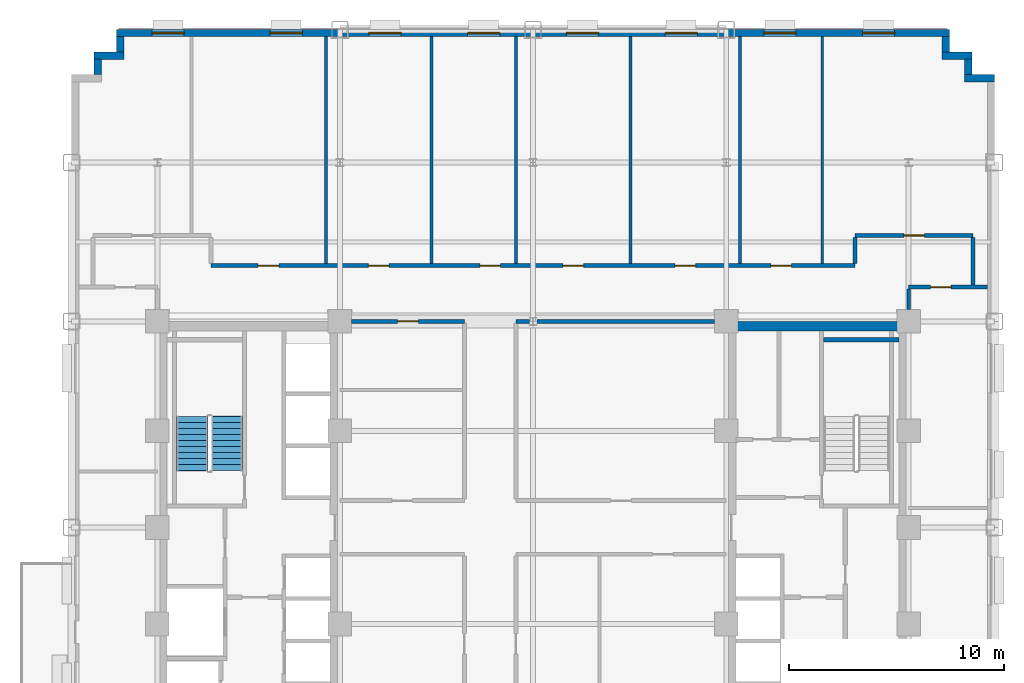
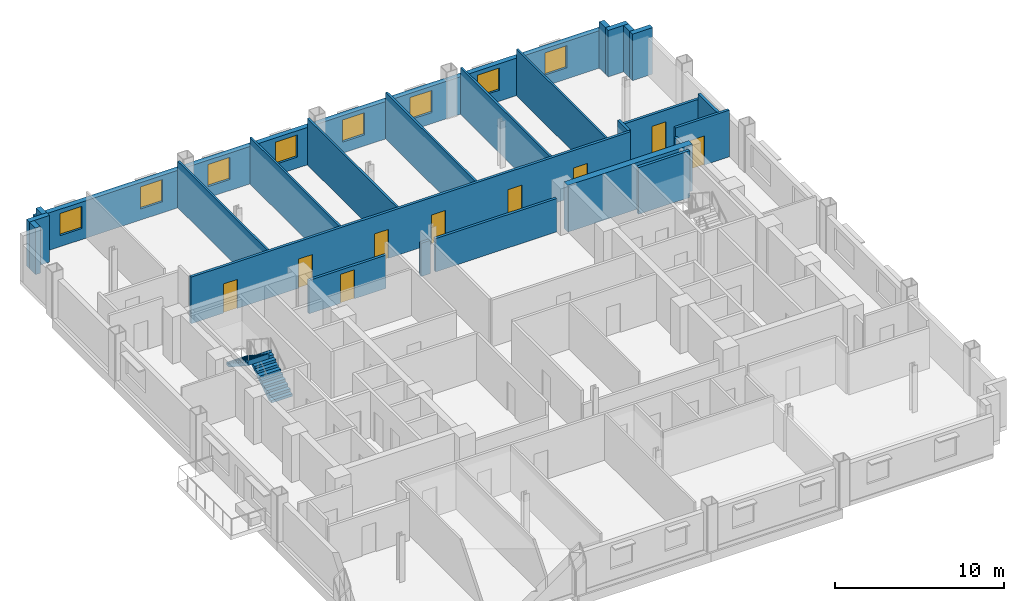
# One storey, part 9 of 14: 25 walls, 9 doors, 8 windows, 2 stair flights, 17 openings, 1 element without a shape of its own.
"""IFC4 building model written with IfcOpenShell, lengths in metres."""

from ifc_helpers import new_model, si_unit, direction, frame, frame_2d, origin, place, context, subcontext, project, spatial, polyline, rectangle, outline, extrude, source, transform, mapped, material, layer, layer_set, type_object, type_shapes, element, fill, aggregate, save


model = new_model("IFC4")

# Units and contexts
model_context = context("Model", 3, precision=1e-05, world=origin(), true_north=direction((0.0, 1.0)))
body_context = subcontext(model_context, "Body", "Model", "MODEL_VIEW")
ifc_project = project(units=[si_unit("LENGTHUNIT", "METRE"), si_unit("AREAUNIT", "SQUARE_METRE"), si_unit("VOLUMEUNIT", "CUBIC_METRE"), si_unit("PLANEANGLEUNIT", "RADIAN"), si_unit("MASSUNIT", "GRAM", prefix="KILO")], contexts=[model_context])

# Site, building, storey
site_placement = place(None, origin())
site = spatial("IfcSite", under=ifc_project, at=site_placement, CompositionType="ELEMENT")
building_placement = place(site_placement, origin())
building = spatial("IfcBuilding", under=site, at=building_placement, Name="Nuvemarco Arch Tower", CompositionType="ELEMENT")
storey_placement = place(building_placement, frame((0.0, 0.0, 64.10009765625)))
storey = spatial("IfcBuildingStorey", under=building, at=storey_placement, Name="L16", CompositionType="ELEMENT", Elevation=64.10009765625)

# Walls
ifc_material_1 = material(Name="Precast concrete C45/55", Category="concrete")
ifc_layer_1 = layer(ifc_material_1, 0.340087890625, Name="EW-LOW-340")
ifc_layer_set_1 = layer_set([ifc_layer_1], Name="Precast concrete C45/55")
wall_type_1 = type_object("IfcWallType", Name="EW-LOW-340", PredefinedType="STANDARD", material=ifc_layer_set_1)
wall_1_placement = place(storey_placement, frame((20.110107421875, 20.929931640625, 0.0), z_axis=(0.0, 0.0, 1.0), x_axis=(1.0, 0.0, 0.0)))
element("IfcWall", 1, at=wall_1_placement, inside=storey, type_object=wall_type_1, Name="L16 exterior precast facade wall 7", PredefinedType="STANDARD", context=body_context, shape_type="SweptSolid", body=[
    extrude(rectangle(XDim=1.389892578125, YDim=0.340087890625, at=frame_2d((0.69482421875, 0.0))), origin(), (0.0, 0.0, 1.0), 3.35986328125),
])
wall_2_placement = place(storey_placement, frame((20.280029296875, 21.095947265625, 0.0), z_axis=(0.0, 0.0, 1.0), x_axis=(0.0, 1.0, 0.0)))
element("IfcWall", 2, at=wall_2_placement, inside=storey, type_object=wall_type_1, Name="L16 exterior precast facade wall 8", PredefinedType="STANDARD", context=body_context, shape_type="SweptSolid", body=[
    extrude(rectangle(XDim=0.718017578125, YDim=0.340087890625, at=frame_2d((0.35888671875, 0.0))), origin(), (0.0, 0.0, 1.0), 3.35986328125),
])
wall_3_placement = place(storey_placement, frame((19.06005859375, 21.97998046875, 0.0), z_axis=(0.0, 0.0, 1.0), x_axis=(1.0, 0.0, 0.0)))
element("IfcWall", 3, at=wall_3_placement, inside=storey, type_object=wall_type_1, Name="L16 exterior precast facade wall 9", PredefinedType="STANDARD", context=body_context, shape_type="SweptSolid", body=[
    extrude(rectangle(XDim=1.389892578125, YDim=0.340087890625, at=frame_2d((0.69482421875, 0.0))), origin(), (0.0, 0.0, 1.0), 3.35986328125),
])
wall_4_placement = place(storey_placement, frame((19.22998046875, 22.14599609375, 0.0), z_axis=(0.0, 0.0, 1.0), x_axis=(0.0, 1.0, 0.0)))
element("IfcWall", 4, at=wall_4_placement, inside=storey, type_object=wall_type_1, Name="L16 exterior precast facade wall 10", PredefinedType="STANDARD", context=body_context, shape_type="SweptSolid", body=[
    extrude(rectangle(XDim=0.718017578125, YDim=0.340087890625, at=frame_2d((0.35888671875, 0.0))), origin(), (0.0, 0.0, 1.0), 3.35986328125),
])

# Wall, openings, windows
wall_5_placement = place(storey_placement, frame((-19.39990234375, 23.030029296875, 0.0), z_axis=(0.0, 0.0, 1.0), x_axis=(1.0, 0.0, 0.0)))
wall_5 = element("IfcWall", 5, at=wall_5_placement, inside=storey, type_object=wall_type_1, Name="L16 exterior precast facade wall 11", PredefinedType="STANDARD", context=body_context, shape_type="SweptSolid", body=[
    extrude(rectangle(XDim=38.7998046875, YDim=0.340087890625, at=frame_2d((19.39990234375, 0.0))), origin(), (0.0, 0.0, 1.0), 2.704833984375),
])
opening_1_placement = place(wall_5_placement, frame((1.64990234375, 0.0, 0.800048828125)))
opening_1 = element("IfcOpeningElement", 6, at=opening_1_placement, cuts=wall_5, Name="Opening WN-11", PredefinedType="OPENING", context=body_context, shape_type="SweptSolid", body=[
    extrude(rectangle(XDim=1.5, YDim=1.60009765625, at=frame_2d((0.75, 0.800048828125))), frame((0.0, 0.179931640625, 0.0), z_axis=(0.0, -1.0, 0.0), x_axis=(1.0, 0.0, 0.0)), (0.0, 0.0, 1.0), 0.360107421875),
])
opening_2_placement = place(wall_5_placement, frame((7.14990234375, 0.0, 0.800048828125)))
opening_2 = element("IfcOpeningElement", 7, at=opening_2_placement, cuts=wall_5, Name="Opening WN-11", PredefinedType="OPENING", context=body_context, shape_type="SweptSolid", body=[
    extrude(rectangle(XDim=1.5, YDim=1.60009765625, at=frame_2d((0.75, 0.800048828125))), frame((0.0, 0.179931640625, 0.0), z_axis=(0.0, -1.0, 0.0), x_axis=(1.0, 0.0, 0.0)), (0.0, 0.0, 1.0), 0.360107421875),
])
opening_3_placement = place(wall_5_placement, frame((11.75, 0.0, 0.800048828125)))
opening_3 = element("IfcOpeningElement", 8, at=opening_3_placement, cuts=wall_5, Name="Opening WN-11", PredefinedType="OPENING", context=body_context, shape_type="SweptSolid", body=[
    extrude(rectangle(XDim=1.5, YDim=1.60009765625, at=frame_2d((0.75, 0.800048828125))), frame((0.0, 0.179931640625, 0.0), z_axis=(0.0, -1.0, 0.0), x_axis=(1.0, 0.0, 0.0)), (0.0, 0.0, 1.0), 0.360107421875),
])
opening_4_placement = place(wall_5_placement, frame((16.35009765625, 0.0, 0.800048828125)))
opening_4 = element("IfcOpeningElement", 9, at=opening_4_placement, cuts=wall_5, Name="Opening WN-11", PredefinedType="OPENING", context=body_context, shape_type="SweptSolid", body=[
    extrude(rectangle(XDim=1.5, YDim=1.60009765625, at=frame_2d((0.75, 0.800048828125))), frame((0.0, 0.179931640625, 0.0), z_axis=(0.0, -1.0, 0.0), x_axis=(1.0, 0.0, 0.0)), (0.0, 0.0, 1.0), 0.360107421875),
])
opening_5_placement = place(wall_5_placement, frame((20.949951171875, 0.0, 0.800048828125)))
opening_5 = element("IfcOpeningElement", 10, at=opening_5_placement, cuts=wall_5, Name="Opening WN-11", PredefinedType="OPENING", context=body_context, shape_type="SweptSolid", body=[
    extrude(rectangle(XDim=1.5, YDim=1.60009765625, at=frame_2d((0.75, 0.800048828125))), frame((0.0, 0.179931640625, 0.0), z_axis=(0.0, -1.0, 0.0), x_axis=(1.0, 0.0, 0.0)), (0.0, 0.0, 1.0), 0.360107421875),
])
opening_6_placement = place(wall_5_placement, frame((25.550048828125, 0.0, 0.800048828125)))
opening_6 = element("IfcOpeningElement", 11, at=opening_6_placement, cuts=wall_5, Name="Opening WN-11", PredefinedType="OPENING", context=body_context, shape_type="SweptSolid", body=[
    extrude(rectangle(XDim=1.5, YDim=1.60009765625, at=frame_2d((0.75, 0.800048828125))), frame((0.0, 0.179931640625, 0.0), z_axis=(0.0, -1.0, 0.0), x_axis=(1.0, 0.0, 0.0)), (0.0, 0.0, 1.0), 0.360107421875),
])
opening_7_placement = place(wall_5_placement, frame((30.14990234375, 0.0, 0.800048828125)))
opening_7 = element("IfcOpeningElement", 12, at=opening_7_placement, cuts=wall_5, Name="Opening WN-11", PredefinedType="OPENING", context=body_context, shape_type="SweptSolid", body=[
    extrude(rectangle(XDim=1.5, YDim=1.60009765625, at=frame_2d((0.75, 0.800048828125))), frame((0.0, 0.179931640625, 0.0), z_axis=(0.0, -1.0, 0.0), x_axis=(1.0, 0.0, 0.0)), (0.0, 0.0, 1.0), 0.360107421875),
])
opening_8_placement = place(wall_5_placement, frame((34.75, 0.0, 0.800048828125)))
opening_8 = element("IfcOpeningElement", 13, at=opening_8_placement, cuts=wall_5, Name="Opening WN-11", PredefinedType="OPENING", context=body_context, shape_type="SweptSolid", body=[
    extrude(rectangle(XDim=1.5, YDim=1.60009765625, at=frame_2d((0.75, 0.800048828125))), frame((0.0, 0.179931640625, 0.0), z_axis=(0.0, -1.0, 0.0), x_axis=(1.0, 0.0, 0.0)), (0.0, 0.0, 1.0), 0.360107421875),
])
ifc_material_2 = material(Name="Insulated solar-control glass", Category="glass")
window_type = type_object("IfcWindowType", Name="WN-STEP-1500x1850", PartitioningType="SINGLE_PANEL", PredefinedType="WINDOW", material=ifc_material_2)
shared_shape_1 = source(origin(), body_context, "Body", "SweptSolid", [
    extrude(rectangle(XDim=1.5, YDim=1.60009765625, at=frame_2d((0.75, 0.800048828125))), frame((0.0, 0.030029296875, 0.0), z_axis=(0.0, -1.0, 0.0), x_axis=(1.0, 0.0, 0.0)), (0.0, 0.0, 1.0), 0.06005859375),
])
type_shapes(window_type, [shared_shape_1])
window_1_placement = place(opening_1_placement, origin())
window_1 = element("IfcWindow", 14, at=window_1_placement, inside=storey, type_object=window_type, Name="L16 punched facade window 1", OverallHeight=1.60009765625, OverallWidth=1.5, PartitioningType="SINGLE_PANEL", PredefinedType="WINDOW", context=body_context, shape_type="MappedRepresentation", body=[
    mapped(shared_shape_1, transform((0.0, 0.0, 0.0), scale=1.0)),
])
fill(opening_1, window_1)
window_2_placement = place(opening_2_placement, origin())
window_2 = element("IfcWindow", 15, at=window_2_placement, inside=storey, type_object=window_type, Name="L16 punched facade window 2", OverallHeight=1.60009765625, OverallWidth=1.5, PartitioningType="SINGLE_PANEL", PredefinedType="WINDOW", context=body_context, shape_type="MappedRepresentation", body=[
    mapped(shared_shape_1, transform((0.0, 0.0, 0.0), scale=1.0)),
])
fill(opening_2, window_2)
window_3_placement = place(opening_3_placement, origin())
window_3 = element("IfcWindow", 16, at=window_3_placement, inside=storey, type_object=window_type, Name="L16 punched facade window 3", OverallHeight=1.60009765625, OverallWidth=1.5, PartitioningType="SINGLE_PANEL", PredefinedType="WINDOW", context=body_context, shape_type="MappedRepresentation", body=[
    mapped(shared_shape_1, transform((0.0, 0.0, 0.0), scale=1.0)),
])
fill(opening_3, window_3)
window_4_placement = place(opening_4_placement, origin())
window_4 = element("IfcWindow", 17, at=window_4_placement, inside=storey, type_object=window_type, Name="L16 punched facade window 4", OverallHeight=1.60009765625, OverallWidth=1.5, PartitioningType="SINGLE_PANEL", PredefinedType="WINDOW", context=body_context, shape_type="MappedRepresentation", body=[
    mapped(shared_shape_1, transform((0.0, 0.0, 0.0), scale=1.0)),
])
fill(opening_4, window_4)
window_5_placement = place(opening_5_placement, origin())
window_5 = element("IfcWindow", 18, at=window_5_placement, inside=storey, type_object=window_type, Name="L16 punched facade window 5", OverallHeight=1.60009765625, OverallWidth=1.5, PartitioningType="SINGLE_PANEL", PredefinedType="WINDOW", context=body_context, shape_type="MappedRepresentation", body=[
    mapped(shared_shape_1, transform((0.0, 0.0, 0.0), scale=1.0)),
])
fill(opening_5, window_5)
window_6_placement = place(opening_6_placement, origin())
window_6 = element("IfcWindow", 19, at=window_6_placement, inside=storey, type_object=window_type, Name="L16 punched facade window 6", OverallHeight=1.60009765625, OverallWidth=1.5, PartitioningType="SINGLE_PANEL", PredefinedType="WINDOW", context=body_context, shape_type="MappedRepresentation", body=[
    mapped(shared_shape_1, transform((0.0, 0.0, 0.0), scale=1.0)),
])
fill(opening_6, window_6)
window_7_placement = place(opening_7_placement, origin())
window_7 = element("IfcWindow", 20, at=window_7_placement, inside=storey, type_object=window_type, Name="L16 punched facade window 7", OverallHeight=1.60009765625, OverallWidth=1.5, PartitioningType="SINGLE_PANEL", PredefinedType="WINDOW", context=body_context, shape_type="MappedRepresentation", body=[
    mapped(shared_shape_1, transform((0.0, 0.0, 0.0), scale=1.0)),
])
fill(opening_7, window_7)
window_8_placement = place(opening_8_placement, origin())
window_8 = element("IfcWindow", 21, at=window_8_placement, inside=storey, type_object=window_type, Name="L16 punched facade window 8", OverallHeight=1.60009765625, OverallWidth=1.5, PartitioningType="SINGLE_PANEL", PredefinedType="WINDOW", context=body_context, shape_type="MappedRepresentation", body=[
    mapped(shared_shape_1, transform((0.0, 0.0, 0.0), scale=1.0)),
])
fill(opening_8, window_8)

# Walls
wall_6_placement = place(storey_placement, frame((-19.22998046875, 22.14599609375, 0.0), z_axis=(0.0, 0.0, 1.0), x_axis=(0.0, 1.0, 0.0)))
element("IfcWall", 22, at=wall_6_placement, inside=storey, type_object=wall_type_1, Name="L16 exterior precast facade wall 12", PredefinedType="STANDARD", context=body_context, shape_type="SweptSolid", body=[
    extrude(rectangle(XDim=0.718017578125, YDim=0.340087890625, at=frame_2d((0.35888671875, 0.0))), origin(), (0.0, 0.0, 1.0), 3.35986328125),
])
wall_7_placement = place(storey_placement, frame((-20.449951171875, 21.97998046875, 0.0), z_axis=(0.0, 0.0, 1.0), x_axis=(1.0, 0.0, 0.0)))
element("IfcWall", 23, at=wall_7_placement, inside=storey, type_object=wall_type_1, Name="L16 exterior precast facade wall 13", PredefinedType="STANDARD", context=body_context, shape_type="SweptSolid", body=[
    extrude(rectangle(XDim=1.389892578125, YDim=0.340087890625, at=frame_2d((0.69482421875, 0.0))), origin(), (0.0, 0.0, 1.0), 3.35986328125),
])
wall_8_placement = place(storey_placement, frame((-20.280029296875, 21.095947265625, 0.0), z_axis=(0.0, 0.0, 1.0), x_axis=(0.0, 1.0, 0.0)))
element("IfcWall", 24, at=wall_8_placement, inside=storey, type_object=wall_type_1, Name="L16 exterior precast facade wall 14", PredefinedType="STANDARD", context=body_context, shape_type="SweptSolid", body=[
    extrude(rectangle(XDim=0.718017578125, YDim=0.340087890625, at=frame_2d((0.35888671875, 0.0))), origin(), (0.0, 0.0, 1.0), 3.35986328125),
])
ifc_material_3 = material(Name="Concrete C60/75", Category="concrete")
ifc_layer_2 = layer(ifc_material_3, 0.449951171875, Name="WL-CORE-450")
ifc_layer_set_2 = layer_set([ifc_layer_2], Name="Concrete C60/75")
wall_type_2 = type_object("IfcWallType", Name="WL-CORE-450", PredefinedType="SHEAR", material=ifc_layer_set_2)
wall_9_placement = place(storey_placement, frame((9.0, 9.375, 0.0), z_axis=(0.0, 0.0, 1.0), x_axis=(1.0, 0.0, 0.0)))
element("IfcWall", 25, at=wall_9_placement, inside=storey, type_object=wall_type_2, Name="L16 E-core shear wall N", PredefinedType="SHEAR", context=body_context, shape_type="SweptSolid", body=[
    extrude(rectangle(XDim=8.5, YDim=0.449951171875, at=frame_2d((4.25, 0.0))), origin(), (0.0, 0.0, 1.0), 3.369873046875),
])

# Wall, opening, door
ifc_material_4 = material(Name="Fire-rated gypsum drywall partition")
ifc_layer_3 = layer(ifc_material_4, 0.179931640625, Name="WL-CORR-180")
ifc_layer_set_3 = layer_set([ifc_layer_3], Name="Fire-rated gypsum drywall partition")
wall_type_3 = type_object("IfcWallType", Name="WL-CORR-180", PredefinedType="PARTITIONING", material=ifc_layer_set_3)
wall_10_placement = place(storey_placement, frame((-8.4541015625, 9.60009765625, 0.0), z_axis=(0.0, 0.0, 1.0), x_axis=(1.0, 0.0, 0.0)))
wall_10 = element("IfcWall", 26, at=wall_10_placement, inside=storey, type_object=wall_type_3, Name="L16 interior wall IW-L16-018", PredefinedType="PARTITIONING", context=body_context, shape_type="SweptSolid", body=[
    extrude(rectangle(XDim=5.254150390625, YDim=0.179931640625, at=frame_2d((2.626953125, 0.0))), origin(), (0.0, 0.0, 1.0), 2.40478515625),
])
opening_9_placement = place(wall_10_placement, frame((2.14697265625, 0.0, 0.0)))
opening_9 = element("IfcOpeningElement", 27, at=opening_9_placement, cuts=wall_10, Name="Opening FD-5", PredefinedType="OPENING", context=body_context, shape_type="SweptSolid", body=[
    extrude(rectangle(XDim=0.9599609375, YDim=2.10009765625, at=frame_2d((0.47998046875, 1.050048828125))), frame((0.0, 0.099853515625, 0.0), z_axis=(0.0, -1.0, 0.0), x_axis=(1.0, 0.0, 0.0)), (0.0, 0.0, 1.0), 0.199951171875),
])
ifc_material_5 = material(Name="Timber fire door", Category="wood")
door_type = type_object("IfcDoorType", Name="DR-CORR-FD", OperationType="NOTDEFINED", PredefinedType="DOOR", material=ifc_material_5)
shared_shape_2 = source(origin(), body_context, "Body", "SweptSolid", [
    extrude(rectangle(XDim=0.9599609375, YDim=2.10009765625, at=frame_2d((0.47998046875, 1.050048828125))), frame((0.0, 0.02490234375, 0.0), z_axis=(0.0, -1.0, 0.0), x_axis=(1.0, 0.0, 0.0)), (0.0, 0.0, 1.0), 0.050048828125),
])
type_shapes(door_type, [shared_shape_2])
door_1_placement = place(opening_9_placement, origin())
door_1 = element("IfcDoor", 28, at=door_1_placement, inside=storey, type_object=door_type, Name="L16 door DR-L16-C_NW2", OperationType="SINGLE_SWING_RIGHT", OverallHeight=2.10009765625, OverallWidth=0.9599609375, PredefinedType="DOOR", context=body_context, shape_type="MappedRepresentation", body=[
    mapped(shared_shape_2, transform((0.0, 0.0, 0.0), scale=1.0)),
])
fill(opening_9, door_1)

# Walls
wall_11_placement = place(storey_placement, frame((-0.800048828125, 9.60009765625, 0.0), z_axis=(0.0, 0.0, 1.0), x_axis=(1.0, 0.0, 0.0)))
element("IfcWall", 29, at=wall_11_placement, inside=storey, type_object=wall_type_3, Name="L16 interior wall IW-L16-019", PredefinedType="PARTITIONING", context=body_context, shape_type="SweptSolid", body=[
    extrude(rectangle(XDim=0.6240234375, YDim=0.179931640625, at=frame_2d((0.31201171875, 0.0))), origin(), (0.0, 0.0, 1.0), 2.40478515625),
])
wall_12_placement = place(storey_placement, frame((0.176025390625, 9.60009765625, 0.0), z_axis=(0.0, 0.0, 1.0), x_axis=(1.0, 0.0, 0.0)))
element("IfcWall", 30, at=wall_12_placement, inside=storey, type_object=wall_type_3, Name="L16 interior wall IW-L16-020", PredefinedType="PARTITIONING", context=body_context, shape_type="SweptSolid", body=[
    extrude(rectangle(XDim=8.278076171875, YDim=0.179931640625, at=frame_2d((4.13916015625, 0.0))), origin(), (0.0, 0.0, 1.0), 2.40478515625),
])

# Wall, opening, door
wall_13_placement = place(storey_placement, frame((17.5, 11.199951171875, 0.0), z_axis=(0.0, 0.0, 1.0), x_axis=(1.0, 0.0, 0.0)))
wall_13 = element("IfcWall", 31, at=wall_13_placement, inside=storey, type_object=wall_type_3, Name="L16 interior wall IW-L16-022", PredefinedType="PARTITIONING", context=body_context, shape_type="SweptSolid", body=[
    extrude(rectangle(XDim=3.659912109375, YDim=0.179931640625, at=frame_2d((1.830078125, 0.0))), origin(), (0.0, 0.0, 1.0), 3.35986328125),
])
opening_10_placement = place(wall_13_placement, frame((1.02001953125, 0.0, 0.0)))
opening_10 = element("IfcOpeningElement", 32, at=opening_10_placement, cuts=wall_13, Name="Opening FD-5", PredefinedType="OPENING", context=body_context, shape_type="SweptSolid", body=[
    extrude(rectangle(XDim=0.9599609375, YDim=2.10009765625, at=frame_2d((0.47998046875, 1.050048828125))), frame((0.0, 0.099853515625, 0.0), z_axis=(0.0, -1.0, 0.0), x_axis=(1.0, 0.0, 0.0)), (0.0, 0.0, 1.0), 0.199951171875),
])
door_2_placement = place(opening_10_placement, origin())
door_2 = element("IfcDoor", 33, at=door_2_placement, inside=storey, type_object=door_type, Name="L16 door DR-L16-E_2", OperationType="SINGLE_SWING_LEFT", OverallHeight=2.10009765625, OverallWidth=0.9599609375, PredefinedType="DOOR", context=body_context, shape_type="MappedRepresentation", body=[
    mapped(shared_shape_2, transform((0.0, 0.0, 0.0), scale=1.0)),
])
fill(opening_10, door_2)

# Wall, openings, doors
wall_14_placement = place(storey_placement, frame((-15.0, 12.199951171875, 0.0), z_axis=(0.0, 0.0, 1.0), x_axis=(1.0, 0.0, 0.0)))
wall_14 = element("IfcWall", 34, at=wall_14_placement, inside=storey, type_object=wall_type_3, Name="L16 interior wall IW-L16-023", PredefinedType="PARTITIONING", context=body_context, shape_type="SweptSolid", body=[
    extrude(rectangle(XDim=30.0, YDim=0.179931640625, at=frame_2d((15.0, 0.0))), origin(), (0.0, 0.0, 1.0), 3.35986328125),
])
opening_11_placement = place(wall_14_placement, frame((2.195068359375, 0.0, 0.0)))
opening_11 = element("IfcOpeningElement", 35, at=opening_11_placement, cuts=wall_14, Name="Opening FD-5", PredefinedType="OPENING", context=body_context, shape_type="SweptSolid", body=[
    extrude(rectangle(XDim=0.9599609375, YDim=2.10009765625, at=frame_2d((0.47998046875, 1.050048828125))), frame((0.0, 0.099853515625, 0.0), z_axis=(0.0, -1.0, 0.0), x_axis=(1.0, 0.0, 0.0)), (0.0, 0.0, 1.0), 0.199951171875),
])
opening_12_placement = place(wall_14_placement, frame((16.39501953125, 0.0, 0.0)))
opening_12 = element("IfcOpeningElement", 36, at=opening_12_placement, cuts=wall_14, Name="Opening FD-5", PredefinedType="OPENING", context=body_context, shape_type="SweptSolid", body=[
    extrude(rectangle(XDim=0.9599609375, YDim=2.10009765625, at=frame_2d((0.47998046875, 1.050048828125))), frame((0.0, 0.099853515625, 0.0), z_axis=(0.0, -1.0, 0.0), x_axis=(1.0, 0.0, 0.0)), (0.0, 0.0, 1.0), 0.199951171875),
])
opening_13_placement = place(wall_14_placement, frame((21.6201171875, 0.0, 0.0)))
opening_13 = element("IfcOpeningElement", 37, at=opening_13_placement, cuts=wall_14, Name="Opening FD-5", PredefinedType="OPENING", context=body_context, shape_type="SweptSolid", body=[
    extrude(rectangle(XDim=0.9599609375, YDim=2.10009765625, at=frame_2d((0.47998046875, 1.050048828125))), frame((0.0, 0.099853515625, 0.0), z_axis=(0.0, -1.0, 0.0), x_axis=(1.0, 0.0, 0.0)), (0.0, 0.0, 1.0), 0.199951171875),
])
opening_14_placement = place(wall_14_placement, frame((7.330078125, 0.0, 0.0)))
opening_14 = element("IfcOpeningElement", 38, at=opening_14_placement, cuts=wall_14, Name="Opening FD-5", PredefinedType="OPENING", context=body_context, shape_type="SweptSolid", body=[
    extrude(rectangle(XDim=0.9599609375, YDim=2.10009765625, at=frame_2d((0.47998046875, 1.050048828125))), frame((0.0, 0.099853515625, 0.0), z_axis=(0.0, -1.0, 0.0), x_axis=(1.0, 0.0, 0.0)), (0.0, 0.0, 1.0), 0.199951171875),
])
opening_15_placement = place(wall_14_placement, frame((26.080078125, 0.0, 0.0)))
opening_15 = element("IfcOpeningElement", 39, at=opening_15_placement, cuts=wall_14, Name="Opening FD-5", PredefinedType="OPENING", context=body_context, shape_type="SweptSolid", body=[
    extrude(rectangle(XDim=0.9599609375, YDim=2.10009765625, at=frame_2d((0.47998046875, 1.050048828125))), frame((0.0, 0.099853515625, 0.0), z_axis=(0.0, -1.0, 0.0), x_axis=(1.0, 0.0, 0.0)), (0.0, 0.0, 1.0), 0.199951171875),
])
opening_16_placement = place(wall_14_placement, frame((12.52001953125, 0.0, 0.0)))
opening_16 = element("IfcOpeningElement", 40, at=opening_16_placement, cuts=wall_14, Name="Opening FD-5", PredefinedType="OPENING", context=body_context, shape_type="SweptSolid", body=[
    extrude(rectangle(XDim=0.9599609375, YDim=2.10009765625, at=frame_2d((0.47998046875, 1.050048828125))), frame((0.0, 0.099853515625, 0.0), z_axis=(0.0, -1.0, 0.0), x_axis=(1.0, 0.0, 0.0)), (0.0, 0.0, 1.0), 0.199951171875),
])
door_3_placement = place(opening_11_placement, origin())
door_3 = element("IfcDoor", 41, at=door_3_placement, inside=storey, type_object=door_type, Name="L16 door DR-L16-N_2", OperationType="SINGLE_SWING_RIGHT", OverallHeight=2.10009765625, OverallWidth=0.9599609375, PredefinedType="DOOR", context=body_context, shape_type="MappedRepresentation", body=[
    mapped(shared_shape_2, transform((0.0, 0.0, 0.0), scale=1.0)),
])
fill(opening_11, door_3)
door_4_placement = place(opening_12_placement, origin())
door_4 = element("IfcDoor", 42, at=door_4_placement, inside=storey, type_object=door_type, Name="L16 door DR-L16-N_5", OperationType="SINGLE_SWING_LEFT", OverallHeight=2.10009765625, OverallWidth=0.9599609375, PredefinedType="DOOR", context=body_context, shape_type="MappedRepresentation", body=[
    mapped(shared_shape_2, transform((0.0, 0.0, 0.0), scale=1.0)),
])
fill(opening_12, door_4)
door_5_placement = place(opening_13_placement, origin())
door_5 = element("IfcDoor", 43, at=door_5_placement, inside=storey, type_object=door_type, Name="L16 door DR-L16-N_6", OperationType="SINGLE_SWING_LEFT", OverallHeight=2.10009765625, OverallWidth=0.9599609375, PredefinedType="DOOR", context=body_context, shape_type="MappedRepresentation", body=[
    mapped(shared_shape_2, transform((0.0, 0.0, 0.0), scale=1.0)),
])
fill(opening_13, door_5)
door_6_placement = place(opening_14_placement, origin())
door_6 = element("IfcDoor", 44, at=door_6_placement, inside=storey, type_object=door_type, Name="L16 door DR-L16-N_3", OperationType="SINGLE_SWING_RIGHT", OverallHeight=2.10009765625, OverallWidth=0.9599609375, PredefinedType="DOOR", context=body_context, shape_type="MappedRepresentation", body=[
    mapped(shared_shape_2, transform((0.0, 0.0, 0.0), scale=1.0)),
])
fill(opening_14, door_6)
door_7_placement = place(opening_15_placement, origin())
door_7 = element("IfcDoor", 45, at=door_7_placement, inside=storey, type_object=door_type, Name="L16 door DR-L16-N_7", OperationType="SINGLE_SWING_LEFT", OverallHeight=2.10009765625, OverallWidth=0.9599609375, PredefinedType="DOOR", context=body_context, shape_type="MappedRepresentation", body=[
    mapped(shared_shape_2, transform((0.0, 0.0, 0.0), scale=1.0)),
])
fill(opening_15, door_7)
door_8_placement = place(opening_16_placement, origin())
door_8 = element("IfcDoor", 46, at=door_8_placement, inside=storey, type_object=door_type, Name="L16 door DR-L16-N_4", OperationType="SINGLE_SWING_LEFT", OverallHeight=2.10009765625, OverallWidth=0.9599609375, PredefinedType="DOOR", context=body_context, shape_type="MappedRepresentation", body=[
    mapped(shared_shape_2, transform((0.0, 0.0, 0.0), scale=1.0)),
])
fill(opening_16, door_8)

# Wall, opening, door
wall_15_placement = place(storey_placement, frame((15.0, 13.60009765625, 0.0), z_axis=(0.0, 0.0, 1.0), x_axis=(1.0, 0.0, 0.0)))
wall_15 = element("IfcWall", 47, at=wall_15_placement, inside=storey, type_object=wall_type_3, Name="L16 interior wall IW-L16-025", PredefinedType="PARTITIONING", context=body_context, shape_type="SweptSolid", body=[
    extrude(rectangle(XDim=5.5, YDim=0.179931640625, at=frame_2d((2.75, 0.0))), origin(), (0.0, 0.0, 1.0), 2.94189453125),
])
opening_17_placement = place(wall_15_placement, frame((2.27001953125, 0.0, 0.0)))
opening_17 = element("IfcOpeningElement", 48, at=opening_17_placement, cuts=wall_15, Name="Opening FD-5", PredefinedType="OPENING", context=body_context, shape_type="SweptSolid", body=[
    extrude(rectangle(XDim=0.9599609375, YDim=2.10009765625, at=frame_2d((0.47998046875, 1.050048828125))), frame((0.0, 0.099853515625, 0.0), z_axis=(0.0, -1.0, 0.0), x_axis=(1.0, 0.0, 0.0)), (0.0, 0.0, 1.0), 0.199951171875),
])
door_9_placement = place(opening_17_placement, origin())
door_9 = element("IfcDoor", 49, at=door_9_placement, inside=storey, type_object=door_type, Name="L16 door DR-L16-N_8", OperationType="SINGLE_SWING_RIGHT", OverallHeight=2.10009765625, OverallWidth=0.9599609375, PredefinedType="DOOR", context=body_context, shape_type="MappedRepresentation", body=[
    mapped(shared_shape_2, transform((0.0, 0.0, 0.0), scale=1.0)),
])
fill(opening_17, door_9)

# Walls
wall_16_placement = place(storey_placement, frame((15.0, 12.285888671875, 0.0), z_axis=(0.0, 0.0, 1.0), x_axis=(0.0, 1.0, 0.0)))
element("IfcWall", 50, at=wall_16_placement, inside=storey, type_object=wall_type_3, Name="L16 interior wall IW-L16-054", PredefinedType="PARTITIONING", context=body_context, shape_type="SweptSolid", body=[
    extrude(rectangle(XDim=1.22802734375, YDim=0.179931640625, at=frame_2d((0.614013671875, 0.0))), origin(), (0.0, 0.0, 1.0), 3.35986328125),
])
wall_17_placement = place(storey_placement, frame((17.5, 10.14599609375, 0.0), z_axis=(0.0, 0.0, 1.0), x_axis=(0.0, 1.0, 0.0)))
element("IfcWall", 51, at=wall_17_placement, inside=storey, type_object=wall_type_3, Name="L16 interior wall IW-L16-056", PredefinedType="PARTITIONING", context=body_context, shape_type="SweptSolid", body=[
    extrude(rectangle(XDim=0.968017578125, YDim=0.179931640625, at=frame_2d((0.48388671875, 0.0))), origin(), (0.0, 0.0, 1.0), 2.73779296875),
])
wall_18_placement = place(storey_placement, frame((20.5, 11.285888671875, 0.0), z_axis=(0.0, 0.0, 1.0), x_axis=(0.0, 1.0, 0.0)))
element("IfcWall", 52, at=wall_18_placement, inside=storey, type_object=wall_type_3, Name="L16 interior wall IW-L16-058", PredefinedType="PARTITIONING", context=body_context, shape_type="SweptSolid", body=[
    extrude(rectangle(XDim=2.22802734375, YDim=0.179931640625, at=frame_2d((1.114013671875, 0.0))), origin(), (0.0, 0.0, 1.0), 3.35986328125),
])
ifc_material_6 = material(Name="Glazed acoustic office partition")
ifc_layer_4 = layer(ifc_material_6, 0.1298828125, Name="WL-EXEC-130")
ifc_layer_set_4 = layer_set([ifc_layer_4], Name="Glazed acoustic office partition")
wall_type_4 = type_object("IfcWallType", Name="WL-EXEC-130", PredefinedType="PARTITIONING", material=ifc_layer_set_4)
for number, where, z_axis, x_axis, name in (
    (53, (-9.64990234375, 12.285888671875, 0.0), (0.0, 0.0, 1.0), (0.0, 1.0, 0.0), "L16 interior wall IW-L16-035"),
    (54, (-4.72998046875, 12.285888671875, 0.0), (0.0, 0.0, 1.0), (0.0, 1.0, 0.0), "L16 interior wall IW-L16-037"),
    (55, (13.469970703125, 12.285888671875, 0.0), (0.0, 0.0, 1.0), (0.0, 1.0, 0.0), "L16 interior wall IW-L16-052"),
):
    element("IfcWall", number, at=place(storey_placement, frame(where, z_axis=z_axis, x_axis=x_axis)), inside=storey, type_object=wall_type_4, Name=name, PredefinedType="PARTITIONING", context=body_context, shape_type="SweptSolid", body=[
        extrude(rectangle(XDim=10.57421875, YDim=0.1298828125, at=frame_2d((5.287109375, 0.0))), origin(), (0.0, 0.0, 1.0), 3.35986328125),
    ])
ifc_material_7 = material(Name="Gypsum plasterboard partition")
ifc_layer_5 = layer(ifc_material_7, 0.139892578125, Name="WL-ROOM-140")
ifc_layer_set_5 = layer_set([ifc_layer_5], Name="Gypsum plasterboard partition")
wall_type_5 = type_object("IfcWallType", Name="WL-ROOM-140", PredefinedType="PARTITIONING", material=ifc_layer_set_5)
for number, where, z_axis, x_axis, name in (
    (56, (-0.800048828125, 12.285888671875, 0.0), (0.0, 0.0, 1.0), (0.0, 1.0, 0.0), "L16 interior wall IW-L16-043"),
    (57, (4.550048828125, 12.285888671875, 0.0), (0.0, 0.0, 1.0), (0.0, 1.0, 0.0), "L16 interior wall IW-L16-047"),
    (58, (9.64990234375, 12.285888671875, 0.0), (0.0, 0.0, 1.0), (0.0, 1.0, 0.0), "L16 interior wall IW-L16-051"),
):
    element("IfcWall", number, at=place(storey_placement, frame(where, z_axis=z_axis, x_axis=x_axis)), inside=storey, type_object=wall_type_5, Name=name, PredefinedType="PARTITIONING", context=body_context, shape_type="SweptSolid", body=[
        extrude(rectangle(XDim=10.57421875, YDim=0.139892578125, at=frame_2d((5.287109375, 0.0))), origin(), (0.0, 0.0, 1.0), 3.35986328125),
    ])
ifc_material_8 = material(Name="Concrete C50/60", Category="concrete")
ifc_layer_6 = layer(ifc_material_8, 0.199951171875, Name="WL-SHAFT-220")
ifc_layer_set_6 = layer_set([ifc_layer_6], Name="Concrete C50/60")
wall_type_6 = type_object("IfcWallType", Name="WL-SHAFT-220", PredefinedType="SHEAR", material=ifc_layer_set_6)
wall_19_placement = place(storey_placement, frame((13.534912109375, 8.75, 0.0), z_axis=(0.0, 0.0, 1.0), x_axis=(1.0, 0.0, 0.0)))
element("IfcWall", 59, at=wall_19_placement, inside=storey, type_object=wall_type_6, Name="L16 structural shaft wall SW-L16-E-ST2N", PredefinedType="SHEAR", context=body_context, shape_type="SweptSolid", body=[
    extrude(rectangle(XDim=3.52001953125, YDim=0.199951171875, at=frame_2d((1.760009765625, 0.0))), origin(), (0.0, 0.0, 1.0), 3.369873046875),
])

# Stair, stair flights
stair_type = type_object("IfcStairType", Name="ST-CORE-20R", PredefinedType="HALF_TURN_STAIR", material=ifc_material_1)
stair_placement = place(storey_placement, origin())
stair = element("IfcStair", 60, at=stair_placement, inside=storey, type_object=stair_type, Name="L16 Protected Exit Stair ST-1", PredefinedType="HALF_TURN_STAIR")
stair_flight_type = type_object("IfcStairFlightType", Name="SF-CORE-20R", PredefinedType="STRAIGHT", material=ifc_material_1)
stair_flight_1_placement = place(storey_placement, frame((-14.264892578125, 2.64990234375, 0.0), z_axis=(0.0, 0.0, 1.0), x_axis=(0.0, 1.0, 0.0)))
stair_flight_1 = element("IfcStairFlight", 61, at=stair_flight_1_placement, type_object=stair_flight_type, Name="ST-20R flight 1", NumberOfRisers=10, NumberOfTreads=9, PredefinedType="STRAIGHT", RiserHeight=0.1825, TreadLength=0.28, context=body_context, shape_type="SweptSolid", body=[
    extrude(outline(polyline([(0.0, 0.0), (0.0, 0.1826171875), (0.280029296875, 0.1826171875), (0.280029296875, 0.364990234375), (0.56005859375, 0.364990234375), (0.56005859375, 0.547607421875), (0.840087890625, 0.547607421875), (0.840087890625, 0.72998046875), (1.1201171875, 0.72998046875), (1.1201171875, 0.91259765625), (1.39990234375, 0.91259765625), (1.39990234375, 1.094970703125), (1.679931640625, 1.094970703125), (1.679931640625, 1.277587890625), (1.9599609375, 1.277587890625), (1.9599609375, 1.4599609375), (2.239990234375, 1.4599609375), (2.239990234375, 1.642578125), (2.52001953125, 1.642578125), (2.52001953125, 1.824951171875), (2.5400390625, 1.824951171875), (2.5400390625, 1.45166015625), (0.312744140625, 0.0), (0.0, 0.0)])), frame((0.0, 0.72509765625, 0.0), z_axis=(0.0, -1.0, 0.0), x_axis=(1.0, 0.0, 0.0)), (0.0, 0.0, 1.0), 1.449951171875),
])
stair_flight_2_placement = place(storey_placement, frame((-15.875, 5.169921875, 1.824951171875), z_axis=(0.0, 0.0, 1.0), x_axis=(0.0, -1.0, 0.0)))
stair_flight_2 = element("IfcStairFlight", 62, at=stair_flight_2_placement, type_object=stair_flight_type, Name="ST-20R flight 2", NumberOfRisers=10, NumberOfTreads=9, PredefinedType="STRAIGHT", RiserHeight=0.1825, TreadLength=0.28, context=body_context, shape_type="SweptSolid", body=[
    extrude(outline(polyline([(0.0, 0.0), (0.0, 0.1826171875), (0.280029296875, 0.1826171875), (0.280029296875, 0.364990234375), (0.56005859375, 0.364990234375), (0.56005859375, 0.547607421875), (0.840087890625, 0.547607421875), (0.840087890625, 0.72998046875), (1.1201171875, 0.72998046875), (1.1201171875, 0.91259765625), (1.39990234375, 0.91259765625), (1.39990234375, 1.094970703125), (1.679931640625, 1.094970703125), (1.679931640625, 1.277587890625), (1.9599609375, 1.277587890625), (1.9599609375, 1.4599609375), (2.239990234375, 1.4599609375), (2.239990234375, 1.642578125), (2.52001953125, 1.642578125), (2.52001953125, 1.824951171875), (2.5400390625, 1.824951171875), (2.5400390625, 1.45166015625), (0.312744140625, 0.0), (0.0, 0.0)])), frame((0.0, 0.72509765625, 0.0), z_axis=(0.0, -1.0, 0.0), x_axis=(1.0, 0.0, 0.0)), (0.0, 0.0, 1.0), 1.449951171875),
])
aggregate(stair, [stair_flight_1, stair_flight_2])

save(model, "model.ifc")
